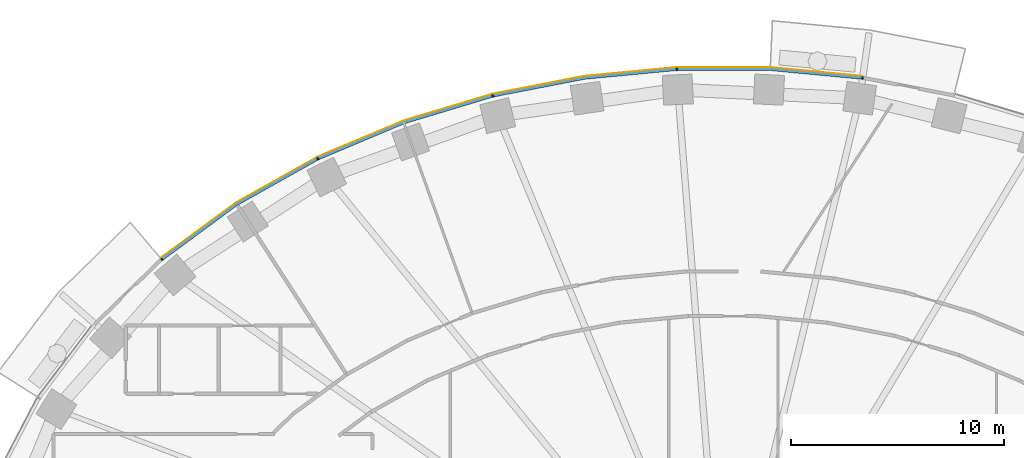
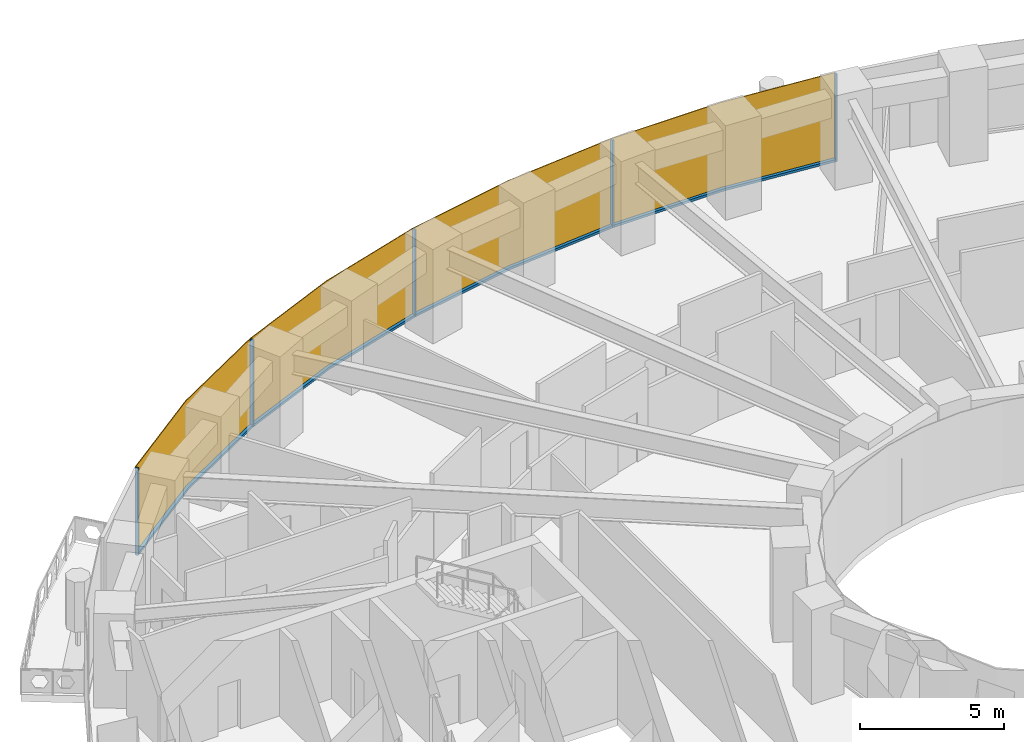
# One storey, part 11 of 16: 9 members, 1 curtain wall.
"""IFC4 building model written with IfcOpenShell, lengths in metres."""

from ifc_helpers import new_model, si_unit, direction, frame, origin, origin_2d, place, context, subcontext, project, spatial, polyline, rectangle, outline, extrude, material, layer, layer_set, material_profile, profile_set, type_object, element, aggregate, save


model = new_model("IFC4")

# Units and contexts
model_context = context("Model", 3, precision=1e-05, world=origin(), true_north=direction((0.0, 1.0)))
body_context = subcontext(model_context, "Body", "Model", "MODEL_VIEW")
ifc_project = project(units=[si_unit("LENGTHUNIT", "METRE"), si_unit("AREAUNIT", "SQUARE_METRE"), si_unit("VOLUMEUNIT", "CUBIC_METRE"), si_unit("PLANEANGLEUNIT", "RADIAN"), si_unit("MASSUNIT", "GRAM", prefix="KILO")], contexts=[model_context])

# Member
ifc_material_1 = material(Name="Aluminium 6063-T6 black anodised", Category="aluminium")
ifc_material_profile = material_profile(ifc_material_1, rectangle(XDim=0.1201171875, YDim=0.06005859375, at=origin_2d()), Name="120x60")
ifc_profile_set = profile_set([ifc_material_profile], Name="Aluminium 6063-T6 black anodised")
member_type_1 = type_object("IfcMemberType", Name="ENV-MULLION-A-120", PredefinedType="MULLION", material=ifc_profile_set)
site_placement = place(None, origin())
building_placement = place(site_placement, origin())
storey_placement = place(building_placement, frame((0.0, 0.0, 70.5)))
member_1_placement = place(storey_placement, frame((6.54638671875, 27.440185546875, 0.0), z_axis=(0.0, 0.0, 1.0), x_axis=(-0.143082012705, -0.989710835366, 0.0)))
member_1 = element("IfcMember", 1, at=member_1_placement, type_object=member_type_1, Name="Mullion A radial 11", PredefinedType="MULLION", context=body_context, shape_type="SweptSolid", body=[
    extrude(rectangle(XDim=0.1201171875, YDim=0.06005859375, at=origin_2d()), origin(), (0.0, 0.0, 1.0), 3.699951171875),
])

member_2_placement = place(storey_placement, frame((-2.188720703125, 27.856201171875, 0.0), z_axis=(0.0, 0.0, 1.0), x_axis=(0.047557873581, -0.998868484166, 0.0)))
member_2 = element("IfcMember", 2, at=member_2_placement, type_object=member_type_1, Name="Mullion A radial 13", PredefinedType="MULLION", context=body_context, shape_type="SweptSolid", body=[
    extrude(rectangle(XDim=0.1201171875, YDim=0.06005859375, at=origin_2d()), origin(), (0.0, 0.0, 1.0), 3.699951171875),
])

member_3_placement = place(storey_placement, frame((-10.84326171875, 26.60498046875, 0.0), z_axis=(0.0, 0.0, 1.0), x_axis=(0.239799081534, -0.970822538106, 0.0)))
member_3 = element("IfcMember", 3, at=member_3_placement, type_object=member_type_1, Name="Mullion A radial 15", PredefinedType="MULLION", context=body_context, shape_type="SweptSolid", body=[
    extrude(rectangle(XDim=0.1201171875, YDim=0.06005859375, at=origin_2d()), origin(), (0.0, 0.0, 1.0), 3.699951171875),
])

member_4_placement = place(storey_placement, frame((-19.06787109375, 23.6474609375, 0.0), z_axis=(0.0, 0.0, 1.0), x_axis=(0.439237769837, -0.898370848563, 0.0)))
member_4 = element("IfcMember", 4, at=member_4_placement, type_object=member_type_1, Name="Mullion A radial 17", PredefinedType="MULLION", context=body_context, shape_type="SweptSolid", body=[
    extrude(rectangle(XDim=0.1201171875, YDim=0.06005859375, at=origin_2d()), origin(), (0.0, 0.0, 1.0), 3.699951171875),
])

member_5_placement = place(storey_placement, frame((-26.403564453125, 18.9130859375, 0.0), z_axis=(0.0, 0.0, 1.0), x_axis=(0.646451313783, -0.762955240435, 0.0)))
member_5 = element("IfcMember", 5, at=member_5_placement, type_object=member_type_1, Name="Mullion A radial 19", PredefinedType="MULLION", context=body_context, shape_type="SweptSolid", body=[
    extrude(rectangle(XDim=0.1201171875, YDim=0.06005859375, at=origin_2d()), origin(), (0.0, 0.0, 1.0), 3.699951171875),
])

ifc_material_2 = material(Name="Aluminium 6063-T6 black anodised", Category="aluminium")
member_type_2 = type_object("IfcMemberType", Name="ENV-TRANSOM-A", PredefinedType="USERDEFINED", material=ifc_material_2)
member_6_placement = place(storey_placement, origin())
member_6 = element("IfcMember", 6, at=member_6_placement, type_object=member_type_2, Name="Transom A radial 11-13", ObjectType="TRANSOM", PredefinedType="USERDEFINED", context=body_context, shape_type="SweptSolid", body=[
    extrude(outline(polyline([(6.527099609375, 27.502197265625), (2.191650390625, 27.916015625), (-2.163818359375, 27.916015625), (-2.157958984375, 27.7958984375), (2.185791015625, 27.7958984375), (6.510009765625, 27.38330078125), (6.527099609375, 27.502197265625)])), origin(), (0.0, 0.0, 1.0), 0.10009765625),
])

member_7_placement = place(storey_placement, origin())
member_7 = element("IfcMember", 7, at=member_7_placement, type_object=member_type_2, Name="Transom A radial 13-15", ObjectType="TRANSOM", PredefinedType="USERDEFINED", context=body_context, shape_type="SweptSolid", body=[
    extrude(outline(polyline([(-2.219482421875, 27.913330078125), (-6.55517578125, 27.49951171875), (-10.830078125, 26.66845703125), (-10.80126953125, 26.552001953125), (-6.537841796875, 27.380615234375), (-2.2138671875, 27.793212890625), (-2.219482421875, 27.913330078125)])), origin(), (0.0, 0.0, 1.0), 0.10009765625),
])

member_8_placement = place(storey_placement, origin())
member_8 = element("IfcMember", 8, at=member_8_placement, type_object=member_type_2, Name="Transom A radial 15-17", ObjectType="TRANSOM", PredefinedType="USERDEFINED", context=body_context, shape_type="SweptSolid", body=[
    extrude(outline(polyline([(-10.884521484375, 26.655029296875), (-15.054443359375, 25.400146484375), (-19.068359375, 23.71240234375), (-19.015380859375, 23.604248046875), (-15.013916015625, 25.287109375), (-10.855712890625, 26.53857421875), (-10.884521484375, 26.655029296875)])), origin(), (0.0, 0.0, 1.0), 0.10009765625),
])

member_9_placement = place(storey_placement, origin())
member_9 = element("IfcMember", 9, at=member_9_placement, type_object=member_type_2, Name="Transom A radial 17-19", ObjectType="TRANSOM", PredefinedType="USERDEFINED", context=body_context, shape_type="SweptSolid", body=[
    extrude(outline(polyline([(-19.11865234375, 23.687744140625), (-22.9150390625, 21.556884765625), (-26.419921875, 18.975341796875), (-26.342041015625, 18.883544921875), (-22.85009765625, 21.455810546875), (-19.06591796875, 23.57958984375), (-19.11865234375, 23.687744140625)])), origin(), (0.0, 0.0, 1.0), 0.10009765625),
])

# Site, building, storey
site = spatial("IfcSite", under=ifc_project, at=site_placement, CompositionType="ELEMENT")
building = spatial("IfcBuilding", under=site, at=building_placement, Name="Noorbagh Ring Tower", CompositionType="ELEMENT")
storey = spatial("IfcBuildingStorey", under=building, at=storey_placement, Name="L15", CompositionType="ELEMENT", Elevation=70.5)

# Curtain wall
ifc_material_3 = material(Name="Glass dark tinted laminated", Category="glass")
ifc_layer = layer(ifc_material_3, 0.031982421875)
ifc_layer_set = layer_set([ifc_layer], Name="Glass dark tinted laminated")
curtain_wall_type = type_object("IfcCurtainWallType", Name="ENV-CW-A", PredefinedType="NOTDEFINED", material=ifc_layer_set)
curtain_wall_placement = place(storey_placement, origin())
curtain_wall = element("IfcCurtainWall", 10, at=curtain_wall_placement, inside=storey, type_object=curtain_wall_type, Name="Curtain wall A R11", PredefinedType="NOTDEFINED", context=body_context, shape_type="SweptSolid", body=[
    extrude(outline(polyline([(6.539794921875, 27.533203125), (2.193115234375, 27.947998046875), (-2.193115234375, 27.947998046875), (-6.559814453125, 27.53125), (-10.865234375, 26.6943359375), (-15.065185546875, 25.430419921875), (-19.108154296875, 23.730224609375), (-22.9326171875, 21.583740234375), (-26.447021484375, 18.9951171875), (-26.42626953125, 18.970703125), (-22.9150390625, 21.556884765625), (-19.093994140625, 23.701416015625), (-15.054443359375, 25.400146484375), (-10.857666015625, 26.6630859375), (-6.55517578125, 27.49951171875), (-2.191650390625, 27.916015625), (2.191650390625, 27.916015625), (6.53515625, 27.50146484375), (6.539794921875, 27.533203125)])), origin(), (0.0, 0.0, 1.0), 3.699951171875),
])

aggregate(curtain_wall, [member_1, member_2, member_3, member_4, member_5, member_6, member_7, member_8, member_9])

save(model, "model.ifc")
